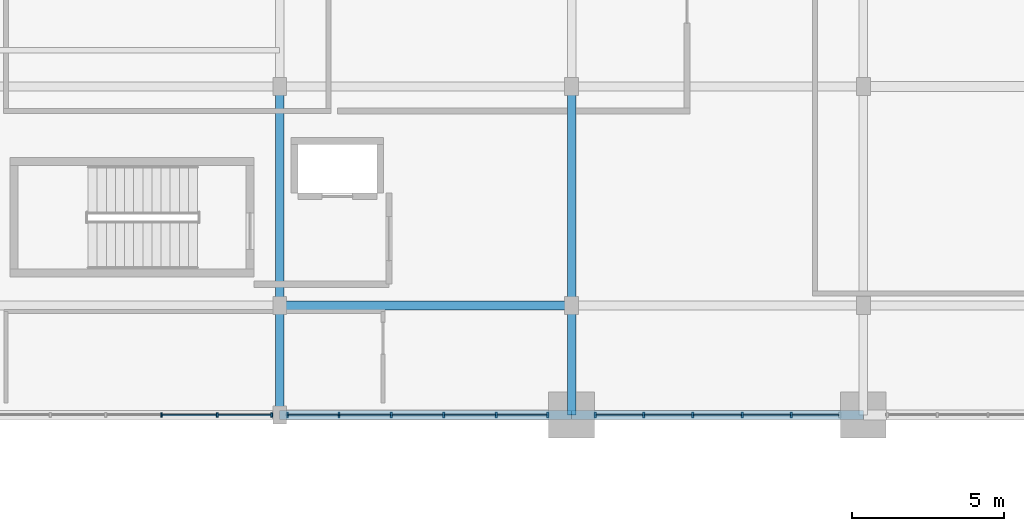
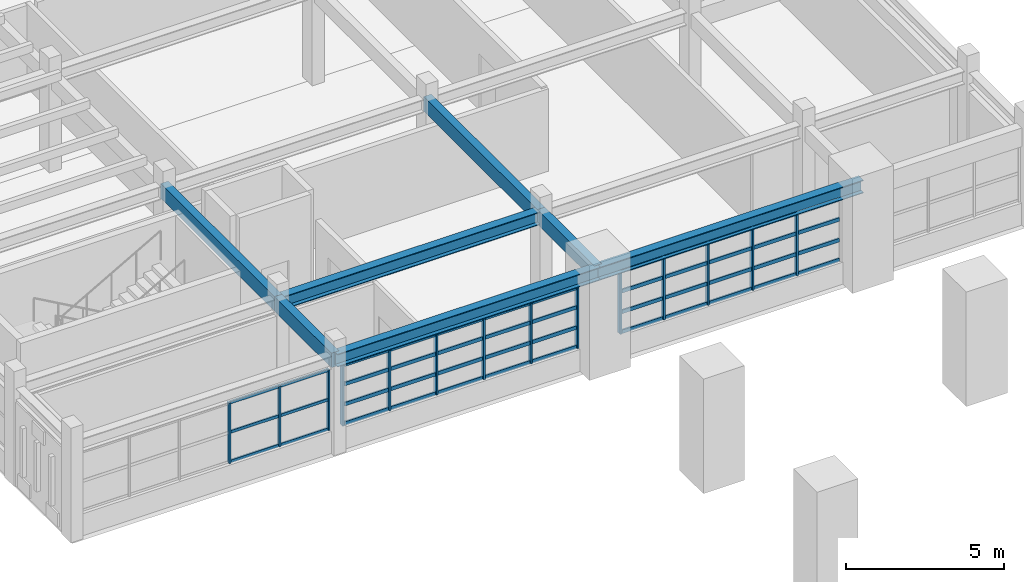
# One storey, part 29 of 69: 59 members, 7 beams, 3 elements without a shape of their own.
"""IFC4 building model written with IfcOpenShell, lengths in metres."""

import ifcopenshell
import ifcopenshell.guid

model = None  # the IFC model being written
_history = None  # IfcOwnerHistory: only IFC2X3 demands one
_inside = {}  # id of a spatial element -> (the spatial element, [elements in it])
_under = {}  # id of a project, library or spatial element -> (it, [spatial elements below it])
_declared = {}  # id of a project -> (the project, [libraries it declares])
_typed = {}  # id of a type object -> (the type object, [elements of that type])
_made_of = {}  # id of a material, layer set ... -> (it, [elements and type objects made of it])


def new_model(schema):
    """Start an empty IFC model of exactly this schema.

    Asked for "IFC4X3", IfcOpenShell would pick the latest addendum, in which some entities
    have other attributes; the version numbers below select the first issue.
    IFC2X3 requires an IfcOwnerHistory on every rooted entity: one is made here for all.
    """
    global model, _history
    if schema == "IFC4X3":
        model = ifcopenshell.file(schema_version=(4, 3, 0, 0))
    else:
        model = ifcopenshell.file(schema=schema)
    _inside.clear()
    _under.clear()
    _declared.clear()
    _typed.clear()
    _made_of.clear()
    _history = None
    if model.schema == "IFC2X3":
        org = make("IfcOrganization", Name="unknown")
        user = make(
            "IfcPersonAndOrganization",
            ThePerson=make("IfcPerson", FamilyName="unknown"),
            TheOrganization=org,
        )
        app = make(
            "IfcApplication",
            ApplicationDeveloper=org,
            Version="unknown",
            ApplicationFullName="unknown",
            ApplicationIdentifier="unknown",
        )
        _history = make(
            "IfcOwnerHistory",
            OwningUser=user,
            OwningApplication=app,
            ChangeAction="ADDED",
            CreationDate=0,
        )
    return model


def make(cls, **values):
    """One entity of the class cls with the attributes given. An attribute that is None is left unset."""
    return model.create_entity(
        cls, **{name: value for name, value in values.items() if value is not None}
    )


def rooted(cls, **values):
    """An entity with a GlobalId (a new one), such as an element, a storey or a relation."""
    return make(cls, GlobalId=ifcopenshell.guid.new(), OwnerHistory=_history, **values)


def si_unit(unit_type, name, prefix=None):
    """IfcSIUnit, for example si_unit("LENGTHUNIT", "METRE", prefix="MILLI")."""
    return make("IfcSIUnit", UnitType=unit_type, Prefix=prefix, Name=name)


def assignment(units):
    """IfcUnitAssignment: the units of a project."""
    return None if units is None else make("IfcUnitAssignment", Units=units)


def point(xyz):
    """IfcCartesianPoint."""
    return None if xyz is None else make("IfcCartesianPoint", Coordinates=xyz)


def direction(xyz):
    """IfcDirection."""
    return None if xyz is None else make("IfcDirection", DirectionRatios=xyz)


def frame(location, z_axis=None, x_axis=None):
    """IfcAxis2Placement3D, a coordinate frame: its origin and axes. An axis left out is left unset."""
    return make(
        "IfcAxis2Placement3D",
        Location=point(location),
        Axis=direction(z_axis),
        RefDirection=direction(x_axis),
    )


def frame_2d(location, x_axis=None):
    """IfcAxis2Placement2D, a coordinate frame in the plane: its origin and x axis."""
    return make(
        "IfcAxis2Placement2D", Location=point(location), RefDirection=direction(x_axis)
    )


def origin():
    """The frame at (0, 0, 0) with its axes left unset."""
    return frame((0.0, 0.0, 0.0))


def origin_2d():
    """The frame at (0, 0) in the plane with its x axis left unset."""
    return frame_2d((0.0, 0.0))


def place(relative_to, where):
    """IfcLocalPlacement: puts the frame where relative to a parent placement (None: the world)."""
    return make(
        "IfcLocalPlacement", PlacementRelTo=relative_to, RelativePlacement=where
    )


def context(
    kind, dimensions, precision=None, world=None, true_north=None, identifier=None
):
    """IfcGeometricRepresentationContext, for example the 3D "Model" context."""
    return make(
        "IfcGeometricRepresentationContext",
        ContextIdentifier=identifier,
        ContextType=kind,
        CoordinateSpaceDimension=dimensions,
        Precision=precision,
        WorldCoordinateSystem=world,
        TrueNorth=true_north,
    )


def subcontext(parent, identifier, kind, view, scale=None):
    """IfcGeometricRepresentationSubContext, for example "Body" below "Model"."""
    return make(
        "IfcGeometricRepresentationSubContext",
        ContextIdentifier=identifier,
        ContextType=kind,
        ParentContext=parent,
        TargetScale=scale,
        TargetView=view,
    )


def project(units=None, contexts=None):
    """IfcProject with its units and contexts."""
    return rooted(
        "IfcProject",
        Name="project",
        RepresentationContexts=contexts,
        UnitsInContext=assignment(units),
    )


def spatial(cls, under=None, at=None, **own):
    """A site, building, storey or space (cls), placed at a placement, below another one or the project."""
    s = rooted(cls, ObjectPlacement=at, **own)
    if under is not None:
        _under.setdefault(under.id(), (under, []))[1].append(s)
    return s


def profile(cls, at=None, kind="AREA", **sizes):
    """A parametric profile (cls). Its sizes go by their IFC names, for example OverallWidth=200.0."""
    return make(cls, ProfileType=kind, Position=at, **sizes)


def rectangle(**sizes):
    """IfcRectangleProfileDef."""
    return profile("IfcRectangleProfileDef", **sizes)


def i_section(**sizes):
    """IfcIShapeProfileDef."""
    return profile("IfcIShapeProfileDef", **sizes)


def extrude(swept, where, along, depth):
    """IfcExtrudedAreaSolid: the profile swept, set in the frame where, extruded along a direction by depth."""
    return make(
        "IfcExtrudedAreaSolid",
        SweptArea=swept,
        Position=where,
        ExtrudedDirection=direction(along),
        Depth=depth,
    )


def shape(context_of_items, identifier, shape_type, items):
    """IfcShapeRepresentation: the items that make up one representation, for example the "Body"."""
    return make(
        "IfcShapeRepresentation",
        ContextOfItems=context_of_items,
        RepresentationIdentifier=identifier,
        RepresentationType=shape_type,
        Items=items,
    )


def material(Name=None, Category=None):
    """IfcMaterial."""
    return make("IfcMaterial", Name=Name, Category=Category)


def material_profile(
    of_material, cross_section, Name=None, Category=None, Priority=None
):
    """IfcMaterialProfile: a cross section and its material."""
    return make(
        "IfcMaterialProfile",
        Name=Name,
        Material=of_material,
        Profile=cross_section,
        Priority=Priority,
        Category=Category,
    )


def profile_set(profiles, Name=None, composite=None):
    """IfcMaterialProfileSet."""
    return make(
        "IfcMaterialProfileSet",
        Name=Name,
        MaterialProfiles=profiles,
        CompositeProfile=composite,
    )


def made_of(thing, what):
    """Note that an element or type object is made of a material, layer set ...; save() writes the relation."""
    if what is not None:
        _made_of.setdefault(what.id(), (what, []))[1].append(thing)
    return thing


def type_object(cls, material=None, **own):
    """A type object (cls), such as IfcWallType, which elements share."""
    return made_of(rooted(cls, **own), material)


def element(
    cls,
    number,
    at=None,
    inside=None,
    cuts=None,
    type_object=None,
    material=None,
    context=None,
    identifier="Body",
    shape_type=None,
    held_by="IfcProductDefinitionShape",
    body=None,
    shapes=None,
    **own,
):
    """One element of the class cls, such as IfcWall. Its Tag is "e" and its number.

    at: its placement. inside: the storey or other place that contains it. cuts: it is an
    opening in that element (IfcRelVoidsElement). A single representation is given by context,
    identifier, shape_type and body (its items); several are given by shapes. held_by: the class
    of the entity that holds the representations. save() writes the other relations.
    """
    e = rooted(cls, Tag="e%d" % number, ObjectPlacement=at, **own)
    if body is not None:
        shapes = [shape(context, identifier, shape_type, body)]
    if shapes is not None:
        e.Representation = make(held_by, Representations=shapes)
    if inside is not None:
        _inside.setdefault(inside.id(), (inside, []))[1].append(e)
    if cuts is not None:
        rooted(
            "IfcRelVoidsElement", RelatingBuildingElement=cuts, RelatedOpeningElement=e
        )
    if type_object is not None:
        _typed.setdefault(type_object.id(), (type_object, []))[1].append(e)
    return made_of(e, material)


def aggregate(whole, parts):
    """IfcRelAggregates: a whole, such as a stair, and the parts it consists of."""
    return rooted("IfcRelAggregates", RelatingObject=whole, RelatedObjects=parts)


def save(model, path):
    """Write the relations noted so far, then the file.

    IfcRelAggregates (storeys below a building ...), IfcRelContainedInSpatialStructure (elements
    in a storey), IfcRelDefinesByType, IfcRelAssociatesMaterial and IfcRelDeclares: one each for
    every whole, place, type object, material and project.
    """
    for whole, parts in _under.values():
        aggregate(whole, parts)
    for where, things in _inside.values():
        rooted(
            "IfcRelContainedInSpatialStructure",
            RelatedElements=things,
            RelatingStructure=where,
        )
    for kind, things in _typed.values():
        rooted("IfcRelDefinesByType", RelatedObjects=things, RelatingType=kind)
    for what, things in _made_of.values():
        rooted("IfcRelAssociatesMaterial", RelatedObjects=things, RelatingMaterial=what)
    for by, libraries in _declared.values():
        rooted("IfcRelDeclares", RelatingContext=by, RelatedDefinitions=libraries)
    model.write(path)


model = new_model("IFC4")

# Units and contexts
model_context = context("Model", 3, precision=1e-05, world=origin(), true_north=direction((0.0, 1.0)))
body_context = subcontext(model_context, "Body", "Model", "MODEL_VIEW")
ifc_project = project(units=[si_unit("LENGTHUNIT", "METRE"), si_unit("AREAUNIT", "SQUARE_METRE"), si_unit("VOLUMEUNIT", "CUBIC_METRE"), si_unit("PLANEANGLEUNIT", "RADIAN"), si_unit("MASSUNIT", "GRAM", prefix="KILO")], contexts=[model_context])

# Site, building, storey
site_placement = place(None, origin())
site = spatial("IfcSite", under=ifc_project, at=site_placement, CompositionType="ELEMENT")
building_placement = place(site_placement, origin())
building = spatial("IfcBuilding", under=site, at=building_placement, Name="Nzembalo Square Collegiate School", CompositionType="ELEMENT")
storey_placement = place(building_placement, frame((0.0, 0.0, 5.10009765625)))
storey = spatial("IfcBuildingStorey", under=building, at=storey_placement, Name="L01", CompositionType="ELEMENT", Elevation=5.10009765625)

# Beams
ifc_material_1 = material(Name="Glulam GL28h", Category="wood")
ifc_material_profile_1 = material_profile(ifc_material_1, rectangle(XDim=0.280029296875, YDim=0.56005859375, at=origin_2d()), Name="GL28h 280x560")
ifc_profile_set_1 = profile_set([ifc_material_profile_1], Name="Glulam GL28h")
beam_type_1 = type_object("IfcBeamType", Name="B05", PredefinedType="BEAM", material=ifc_profile_set_1)
beam_1_placement = place(storey_placement, frame((140.39990234375, 79.199951171875, 3.469970703125), z_axis=(0.0, 1.0, 0.0), x_axis=(-1.0, 0.0, 0.0)))
element("IfcBeam", 1, at=beam_1_placement, inside=storey, type_object=beam_type_1, Name="Beam B05 L01", PredefinedType="BEAM", context=body_context, shape_type="SweptSolid", body=[
    extrude(rectangle(XDim=0.280029296875, YDim=0.56005859375, at=origin_2d()), origin(), (0.0, 0.0, 1.0), 3.60009765625),
])
beam_2_placement = place(storey_placement, frame((140.39990234375, 82.800048828125, 3.469970703125), z_axis=(0.0, 1.0, 0.0), x_axis=(-1.0, 0.0, 0.0)))
element("IfcBeam", 2, at=beam_2_placement, inside=storey, type_object=beam_type_1, Name="Beam B05 L01", PredefinedType="BEAM", context=body_context, shape_type="SweptSolid", body=[
    extrude(rectangle(XDim=0.280029296875, YDim=0.56005859375, at=origin_2d()), origin(), (0.0, 0.0, 1.0), 7.199951171875),
])
beam_3_placement = place(storey_placement, frame((150.0, 79.199951171875, 3.469970703125), z_axis=(0.0, 1.0, 0.0), x_axis=(-1.0, 0.0, 0.0)))
element("IfcBeam", 3, at=beam_3_placement, inside=storey, type_object=beam_type_1, Name="Beam B05 L01", PredefinedType="BEAM", context=body_context, shape_type="SweptSolid", body=[
    extrude(rectangle(XDim=0.280029296875, YDim=0.56005859375, at=origin_2d()), origin(), (0.0, 0.0, 1.0), 3.60009765625),
])
beam_4_placement = place(storey_placement, frame((150.0, 82.800048828125, 3.469970703125), z_axis=(0.0, 1.0, 0.0), x_axis=(-1.0, 0.0, 0.0)))
element("IfcBeam", 4, at=beam_4_placement, inside=storey, type_object=beam_type_1, Name="Beam B05 L01", PredefinedType="BEAM", context=body_context, shape_type="SweptSolid", body=[
    extrude(rectangle(XDim=0.280029296875, YDim=0.56005859375, at=origin_2d()), origin(), (0.0, 0.0, 1.0), 7.199951171875),
])
ifc_material_2 = material(Name="Steel S355", Category="steel")
ifc_material_profile_2 = material_profile(ifc_material_2, i_section(OverallWidth=0.300048828125, OverallDepth=0.5, WebThickness=0.014404296875, FlangeThickness=0.028076171875, at=origin_2d()), Name="HEB 500")
ifc_profile_set_2 = profile_set([ifc_material_profile_2], Name="Steel S355")
beam_type_2 = type_object("IfcBeamType", Name="B07", PredefinedType="BEAM", material=ifc_profile_set_2)
for number, where, z_axis, x_axis, name in (
    (5, (140.39990234375, 79.199951171875, 3.5), (1.0, 0.0, 0.0), (0.0, 1.0, 0.0), "Beam B07 L01"),
    (6, (150.0, 79.199951171875, 3.5), (1.0, 0.0, 0.0), (0.0, 1.0, 0.0), "Beam B07 L01"),
    (7, (140.39990234375, 82.800048828125, 3.5), (1.0, 0.0, 0.0), (0.0, 1.0, 0.0), "Beam B07 L01"),
):
    element("IfcBeam", number, at=place(storey_placement, frame(where, z_axis=z_axis, x_axis=x_axis)), inside=storey, type_object=beam_type_2, Name=name, PredefinedType="BEAM", context=body_context, shape_type="SweptSolid", body=[
        extrude(i_section(OverallWidth=0.300048828125, OverallDepth=0.5, WebThickness=0.014404296875, FlangeThickness=0.028076171875, at=origin_2d()), origin(), (0.0, 0.0, 1.0), 9.60009765625),
    ])

# Curtain wall, members
ifc_material_3 = material(Name="Aluminium 6060-T66", Category="aluminium")
curtain_wall_type_1 = type_object("IfcCurtainWallType", Name="CW-09", PredefinedType="USERDEFINED", material=ifc_material_3)
curtain_wall_1_placement = place(storey_placement, origin())
curtain_wall_1 = element("IfcCurtainWall", 8, at=curtain_wall_1_placement, inside=storey, type_object=curtain_wall_type_1, Name="Curtain wall CW-09 cw:L01:068", ObjectType="UNITISED", PredefinedType="USERDEFINED")
ifc_material_4 = material(Name="Aluminium 6060-T66", Category="aluminium")
ifc_material_profile_3 = material_profile(ifc_material_4, rectangle(XDim=0.06005859375, YDim=0.179931640625, at=origin_2d()), Name="ALU M60x180")
ifc_profile_set_3 = profile_set([ifc_material_profile_3], Name="Aluminium 6060-T66")
member_type_1 = type_object("IfcMemberType", Name="ML01", PredefinedType="MULLION", material=ifc_profile_set_3)
member_1_placement = place(storey_placement, frame((140.656982421875, 79.199951171875, 0.849853515625), z_axis=(0.0, 0.0, 1.0), x_axis=(1.0, 0.0, 0.0)))
member_1 = element("IfcMember", 9, at=member_1_placement, type_object=member_type_1, Name="ML01 mullion 1", PredefinedType="MULLION", context=body_context, shape_type="SweptSolid", body=[
    extrude(rectangle(XDim=0.06005859375, YDim=0.179931640625, at=origin_2d()), origin(), (0.0, 0.0, 1.0), 2.333984375),
])
member_2_placement = place(storey_placement, frame((142.351318359375, 79.199951171875, 0.849853515625), z_axis=(0.0, 0.0, 1.0), x_axis=(1.0, 0.0, 0.0)))
member_2 = element("IfcMember", 10, at=member_2_placement, type_object=member_type_1, Name="ML01 mullion 2", PredefinedType="MULLION", context=body_context, shape_type="SweptSolid", body=[
    extrude(rectangle(XDim=0.06005859375, YDim=0.179931640625, at=origin_2d()), origin(), (0.0, 0.0, 1.0), 2.333984375),
])
member_3_placement = place(storey_placement, frame((144.075439453125, 79.199951171875, 0.849853515625), z_axis=(0.0, 0.0, 1.0), x_axis=(1.0, 0.0, 0.0)))
member_3 = element("IfcMember", 11, at=member_3_placement, type_object=member_type_1, Name="ML01 mullion 3", PredefinedType="MULLION", context=body_context, shape_type="SweptSolid", body=[
    extrude(rectangle(XDim=0.06005859375, YDim=0.179931640625, at=origin_2d()), origin(), (0.0, 0.0, 1.0), 2.333984375),
])
member_4_placement = place(storey_placement, frame((145.799560546875, 79.199951171875, 0.849853515625), z_axis=(0.0, 0.0, 1.0), x_axis=(1.0, 0.0, 0.0)))
member_4 = element("IfcMember", 12, at=member_4_placement, type_object=member_type_1, Name="ML01 mullion 4", PredefinedType="MULLION", context=body_context, shape_type="SweptSolid", body=[
    extrude(rectangle(XDim=0.06005859375, YDim=0.179931640625, at=origin_2d()), origin(), (0.0, 0.0, 1.0), 2.333984375),
])
member_5_placement = place(storey_placement, frame((147.523681640625, 79.199951171875, 0.849853515625), z_axis=(0.0, 0.0, 1.0), x_axis=(1.0, 0.0, 0.0)))
member_5 = element("IfcMember", 13, at=member_5_placement, type_object=member_type_1, Name="ML01 mullion 5", PredefinedType="MULLION", context=body_context, shape_type="SweptSolid", body=[
    extrude(rectangle(XDim=0.06005859375, YDim=0.179931640625, at=origin_2d()), origin(), (0.0, 0.0, 1.0), 2.333984375),
])
member_6_placement = place(storey_placement, frame((149.218017578125, 79.199951171875, 0.849853515625), z_axis=(0.0, 0.0, 1.0), x_axis=(1.0, 0.0, 0.0)))
member_6 = element("IfcMember", 14, at=member_6_placement, type_object=member_type_1, Name="ML01 mullion 6", PredefinedType="MULLION", context=body_context, shape_type="SweptSolid", body=[
    extrude(rectangle(XDim=0.06005859375, YDim=0.179931640625, at=origin_2d()), origin(), (0.0, 0.0, 1.0), 2.333984375),
])

ifc_material_5 = material(Name="Aluminium 6060-T66", Category="aluminium")
curtain_wall_type_2 = type_object("IfcCurtainWallType", Name="CW-10", PredefinedType="USERDEFINED", material=ifc_material_5)
curtain_wall_2_placement = place(storey_placement, origin())
curtain_wall_2 = element("IfcCurtainWall", 15, at=curtain_wall_2_placement, inside=storey, type_object=curtain_wall_type_2, Name="Curtain wall CW-10 cw:L01:069", ObjectType="UNITISED", PredefinedType="USERDEFINED")
member_7_placement = place(storey_placement, frame((150.781982421875, 79.199951171875, 0.849853515625), z_axis=(0.0, 0.0, 1.0), x_axis=(1.0, 0.0, 0.0)))
member_7 = element("IfcMember", 16, at=member_7_placement, type_object=member_type_1, Name="ML01 mullion 1", PredefinedType="MULLION", context=body_context, shape_type="SweptSolid", body=[
    extrude(rectangle(XDim=0.06005859375, YDim=0.179931640625, at=origin_2d()), origin(), (0.0, 0.0, 1.0), 2.39404296875),
])
member_8_placement = place(storey_placement, frame((152.37109375, 79.199951171875, 0.849853515625), z_axis=(0.0, 0.0, 1.0), x_axis=(1.0, 0.0, 0.0)))
member_8 = element("IfcMember", 17, at=member_8_placement, type_object=member_type_1, Name="ML01 mullion 2", PredefinedType="MULLION", context=body_context, shape_type="SweptSolid", body=[
    extrude(rectangle(XDim=0.06005859375, YDim=0.179931640625, at=origin_2d()), origin(), (0.0, 0.0, 1.0), 2.39404296875),
])
member_9_placement = place(storey_placement, frame((153.990478515625, 79.199951171875, 0.849853515625), z_axis=(0.0, 0.0, 1.0), x_axis=(1.0, 0.0, 0.0)))
member_9 = element("IfcMember", 18, at=member_9_placement, type_object=member_type_1, Name="ML01 mullion 3", PredefinedType="MULLION", context=body_context, shape_type="SweptSolid", body=[
    extrude(rectangle(XDim=0.06005859375, YDim=0.179931640625, at=origin_2d()), origin(), (0.0, 0.0, 1.0), 2.39404296875),
])
member_10_placement = place(storey_placement, frame((155.609619140625, 79.199951171875, 0.849853515625), z_axis=(0.0, 0.0, 1.0), x_axis=(1.0, 0.0, 0.0)))
member_10 = element("IfcMember", 19, at=member_10_placement, type_object=member_type_1, Name="ML01 mullion 4", PredefinedType="MULLION", context=body_context, shape_type="SweptSolid", body=[
    extrude(rectangle(XDim=0.06005859375, YDim=0.179931640625, at=origin_2d()), origin(), (0.0, 0.0, 1.0), 2.39404296875),
])
member_11_placement = place(storey_placement, frame((157.228759765625, 79.199951171875, 0.849853515625), z_axis=(0.0, 0.0, 1.0), x_axis=(1.0, 0.0, 0.0)))
member_11 = element("IfcMember", 20, at=member_11_placement, type_object=member_type_1, Name="ML01 mullion 5", PredefinedType="MULLION", context=body_context, shape_type="SweptSolid", body=[
    extrude(rectangle(XDim=0.06005859375, YDim=0.179931640625, at=origin_2d()), origin(), (0.0, 0.0, 1.0), 2.39404296875),
])

ifc_material_6 = material(Name="Aluminium 6060-T66", Category="aluminium")
curtain_wall_type_3 = type_object("IfcCurtainWallType", Name="CW-12", PredefinedType="USERDEFINED", material=ifc_material_6)
curtain_wall_3_placement = place(storey_placement, origin())
curtain_wall_3 = element("IfcCurtainWall", 21, at=curtain_wall_3_placement, inside=storey, type_object=curtain_wall_type_3, Name="Curtain wall CW-12 cw:L01:067", ObjectType="LANCET", PredefinedType="USERDEFINED")
ifc_material_7 = material(Name="Aluminium 6060-T66", Category="aluminium")
ifc_material_profile_4 = material_profile(ifc_material_7, rectangle(XDim=0.06005859375, YDim=0.14990234375, at=origin_2d()), Name="ALU M60x150")
ifc_profile_set_4 = profile_set([ifc_material_profile_4], Name="Aluminium 6060-T66")
member_type_2 = type_object("IfcMemberType", Name="ML02", PredefinedType="MULLION", material=ifc_profile_set_4)
member_12_placement = place(storey_placement, frame((136.5146484375, 79.199951171875, 0.849853515625), z_axis=(0.0, 0.0, 1.0), x_axis=(1.0, 0.0, 0.0)))
member_12 = element("IfcMember", 22, at=member_12_placement, type_object=member_type_2, Name="ML02 mullion 4", PredefinedType="MULLION", context=body_context, shape_type="SweptSolid", body=[
    extrude(rectangle(XDim=0.06005859375, YDim=0.14990234375, at=origin_2d()), origin(), (0.0, 0.0, 1.0), 2.333984375),
])
member_13_placement = place(storey_placement, frame((138.34375, 79.199951171875, 0.849853515625), z_axis=(0.0, 0.0, 1.0), x_axis=(1.0, 0.0, 0.0)))
member_13 = element("IfcMember", 23, at=member_13_placement, type_object=member_type_2, Name="ML02 mullion 5", PredefinedType="MULLION", context=body_context, shape_type="SweptSolid", body=[
    extrude(rectangle(XDim=0.06005859375, YDim=0.14990234375, at=origin_2d()), origin(), (0.0, 0.0, 1.0), 2.333984375),
])
member_14_placement = place(storey_placement, frame((140.14306640625, 79.199951171875, 0.849853515625), z_axis=(0.0, 0.0, 1.0), x_axis=(1.0, 0.0, 0.0)))
member_14 = element("IfcMember", 24, at=member_14_placement, type_object=member_type_2, Name="ML02 mullion 6", PredefinedType="MULLION", context=body_context, shape_type="SweptSolid", body=[
    extrude(rectangle(XDim=0.06005859375, YDim=0.14990234375, at=origin_2d()), origin(), (0.0, 0.0, 1.0), 2.333984375),
])

# Member
ifc_material_8 = material(Name="Aluminium 6060-T66", Category="aluminium")
ifc_material_profile_5 = material_profile(ifc_material_8, rectangle(XDim=0.06005859375, YDim=0.139892578125, at=origin_2d()), Name="ALU T60x140")
ifc_profile_set_5 = profile_set([ifc_material_profile_5], Name="Aluminium 6060-T66")
member_type_3 = type_object("IfcMemberType", Name="TR01", PredefinedType="USERDEFINED", material=ifc_profile_set_5)
member_15_placement = place(storey_placement, frame((140.68701171875, 79.199951171875, 0.8798828125), z_axis=(1.0, 0.0, 0.0), x_axis=(0.0, 1.0, 0.0)))
member_15 = element("IfcMember", 25, at=member_15_placement, type_object=member_type_3, Name="TR01 transom 1-1", ObjectType="TRANSOM", PredefinedType="USERDEFINED", context=body_context, shape_type="SweptSolid", body=[
    extrude(rectangle(XDim=0.06005859375, YDim=0.139892578125, at=origin_2d()), origin(), (0.0, 0.0, 1.0), 1.63427734375),
])

member_16_placement = place(storey_placement, frame((142.381103515625, 79.199951171875, 0.8798828125), z_axis=(1.0, 0.0, 0.0), x_axis=(0.0, 1.0, 0.0)))
member_16 = element("IfcMember", 26, at=member_16_placement, type_object=member_type_3, Name="TR01 transom 1-2", ObjectType="TRANSOM", PredefinedType="USERDEFINED", context=body_context, shape_type="SweptSolid", body=[
    extrude(rectangle(XDim=0.06005859375, YDim=0.139892578125, at=origin_2d()), origin(), (0.0, 0.0, 1.0), 1.664306640625),
])

member_17_placement = place(storey_placement, frame((144.10546875, 79.199951171875, 0.8798828125), z_axis=(1.0, 0.0, 0.0), x_axis=(0.0, 1.0, 0.0)))
member_17 = element("IfcMember", 27, at=member_17_placement, type_object=member_type_3, Name="TR01 transom 1-3", ObjectType="TRANSOM", PredefinedType="USERDEFINED", context=body_context, shape_type="SweptSolid", body=[
    extrude(rectangle(XDim=0.06005859375, YDim=0.139892578125, at=origin_2d()), origin(), (0.0, 0.0, 1.0), 1.6640625),
])

member_18_placement = place(storey_placement, frame((145.82958984375, 79.199951171875, 0.8798828125), z_axis=(1.0, 0.0, 0.0), x_axis=(0.0, 1.0, 0.0)))
member_18 = element("IfcMember", 28, at=member_18_placement, type_object=member_type_3, Name="TR01 transom 1-4", ObjectType="TRANSOM", PredefinedType="USERDEFINED", context=body_context, shape_type="SweptSolid", body=[
    extrude(rectangle(XDim=0.06005859375, YDim=0.139892578125, at=origin_2d()), origin(), (0.0, 0.0, 1.0), 1.664306640625),
])

member_19_placement = place(storey_placement, frame((147.5537109375, 79.199951171875, 0.8798828125), z_axis=(1.0, 0.0, 0.0), x_axis=(0.0, 1.0, 0.0)))
member_19 = element("IfcMember", 29, at=member_19_placement, type_object=member_type_3, Name="TR01 transom 1-5", ObjectType="TRANSOM", PredefinedType="USERDEFINED", context=body_context, shape_type="SweptSolid", body=[
    extrude(rectangle(XDim=0.06005859375, YDim=0.139892578125, at=origin_2d()), origin(), (0.0, 0.0, 1.0), 1.63427734375),
])

member_20_placement = place(storey_placement, frame((140.68701171875, 79.199951171875, 1.6279296875), z_axis=(1.0, 0.0, 0.0), x_axis=(0.0, 1.0, 0.0)))
member_20 = element("IfcMember", 30, at=member_20_placement, type_object=member_type_3, Name="TR01 transom 2-1", ObjectType="TRANSOM", PredefinedType="USERDEFINED", context=body_context, shape_type="SweptSolid", body=[
    extrude(rectangle(XDim=0.06005859375, YDim=0.139892578125, at=origin_2d()), origin(), (0.0, 0.0, 1.0), 1.63427734375),
])

member_21_placement = place(storey_placement, frame((142.381103515625, 79.199951171875, 1.6279296875), z_axis=(1.0, 0.0, 0.0), x_axis=(0.0, 1.0, 0.0)))
member_21 = element("IfcMember", 31, at=member_21_placement, type_object=member_type_3, Name="TR01 transom 2-2", ObjectType="TRANSOM", PredefinedType="USERDEFINED", context=body_context, shape_type="SweptSolid", body=[
    extrude(rectangle(XDim=0.06005859375, YDim=0.139892578125, at=origin_2d()), origin(), (0.0, 0.0, 1.0), 1.664306640625),
])

member_22_placement = place(storey_placement, frame((144.10546875, 79.199951171875, 1.6279296875), z_axis=(1.0, 0.0, 0.0), x_axis=(0.0, 1.0, 0.0)))
member_22 = element("IfcMember", 32, at=member_22_placement, type_object=member_type_3, Name="TR01 transom 2-3", ObjectType="TRANSOM", PredefinedType="USERDEFINED", context=body_context, shape_type="SweptSolid", body=[
    extrude(rectangle(XDim=0.06005859375, YDim=0.139892578125, at=origin_2d()), origin(), (0.0, 0.0, 1.0), 1.6640625),
])

member_23_placement = place(storey_placement, frame((145.82958984375, 79.199951171875, 1.6279296875), z_axis=(1.0, 0.0, 0.0), x_axis=(0.0, 1.0, 0.0)))
member_23 = element("IfcMember", 33, at=member_23_placement, type_object=member_type_3, Name="TR01 transom 2-4", ObjectType="TRANSOM", PredefinedType="USERDEFINED", context=body_context, shape_type="SweptSolid", body=[
    extrude(rectangle(XDim=0.06005859375, YDim=0.139892578125, at=origin_2d()), origin(), (0.0, 0.0, 1.0), 1.664306640625),
])

member_24_placement = place(storey_placement, frame((147.5537109375, 79.199951171875, 1.6279296875), z_axis=(1.0, 0.0, 0.0), x_axis=(0.0, 1.0, 0.0)))
member_24 = element("IfcMember", 34, at=member_24_placement, type_object=member_type_3, Name="TR01 transom 2-5", ObjectType="TRANSOM", PredefinedType="USERDEFINED", context=body_context, shape_type="SweptSolid", body=[
    extrude(rectangle(XDim=0.06005859375, YDim=0.139892578125, at=origin_2d()), origin(), (0.0, 0.0, 1.0), 1.63427734375),
])

member_25_placement = place(storey_placement, frame((140.68701171875, 79.199951171875, 2.406005859375), z_axis=(1.0, 0.0, 0.0), x_axis=(0.0, 1.0, 0.0)))
member_25 = element("IfcMember", 35, at=member_25_placement, type_object=member_type_3, Name="TR01 transom 3-1", ObjectType="TRANSOM", PredefinedType="USERDEFINED", context=body_context, shape_type="SweptSolid", body=[
    extrude(rectangle(XDim=0.06005859375, YDim=0.139892578125, at=origin_2d()), origin(), (0.0, 0.0, 1.0), 1.63427734375),
])

member_26_placement = place(storey_placement, frame((142.381103515625, 79.199951171875, 2.406005859375), z_axis=(1.0, 0.0, 0.0), x_axis=(0.0, 1.0, 0.0)))
member_26 = element("IfcMember", 36, at=member_26_placement, type_object=member_type_3, Name="TR01 transom 3-2", ObjectType="TRANSOM", PredefinedType="USERDEFINED", context=body_context, shape_type="SweptSolid", body=[
    extrude(rectangle(XDim=0.06005859375, YDim=0.139892578125, at=origin_2d()), origin(), (0.0, 0.0, 1.0), 1.664306640625),
])

member_27_placement = place(storey_placement, frame((144.10546875, 79.199951171875, 2.406005859375), z_axis=(1.0, 0.0, 0.0), x_axis=(0.0, 1.0, 0.0)))
member_27 = element("IfcMember", 37, at=member_27_placement, type_object=member_type_3, Name="TR01 transom 3-3", ObjectType="TRANSOM", PredefinedType="USERDEFINED", context=body_context, shape_type="SweptSolid", body=[
    extrude(rectangle(XDim=0.06005859375, YDim=0.139892578125, at=origin_2d()), origin(), (0.0, 0.0, 1.0), 1.6640625),
])

member_28_placement = place(storey_placement, frame((145.82958984375, 79.199951171875, 2.406005859375), z_axis=(1.0, 0.0, 0.0), x_axis=(0.0, 1.0, 0.0)))
member_28 = element("IfcMember", 38, at=member_28_placement, type_object=member_type_3, Name="TR01 transom 3-4", ObjectType="TRANSOM", PredefinedType="USERDEFINED", context=body_context, shape_type="SweptSolid", body=[
    extrude(rectangle(XDim=0.06005859375, YDim=0.139892578125, at=origin_2d()), origin(), (0.0, 0.0, 1.0), 1.664306640625),
])

member_29_placement = place(storey_placement, frame((147.5537109375, 79.199951171875, 2.406005859375), z_axis=(1.0, 0.0, 0.0), x_axis=(0.0, 1.0, 0.0)))
member_29 = element("IfcMember", 39, at=member_29_placement, type_object=member_type_3, Name="TR01 transom 3-5", ObjectType="TRANSOM", PredefinedType="USERDEFINED", context=body_context, shape_type="SweptSolid", body=[
    extrude(rectangle(XDim=0.06005859375, YDim=0.139892578125, at=origin_2d()), origin(), (0.0, 0.0, 1.0), 1.63427734375),
])

member_30_placement = place(storey_placement, frame((140.68701171875, 79.199951171875, 3.15380859375), z_axis=(1.0, 0.0, 0.0), x_axis=(0.0, 1.0, 0.0)))
member_30 = element("IfcMember", 40, at=member_30_placement, type_object=member_type_3, Name="TR01 transom 4-1", ObjectType="TRANSOM", PredefinedType="USERDEFINED", context=body_context, shape_type="SweptSolid", body=[
    extrude(rectangle(XDim=0.06005859375, YDim=0.139892578125, at=origin_2d()), origin(), (0.0, 0.0, 1.0), 1.63427734375),
])

member_31_placement = place(storey_placement, frame((142.381103515625, 79.199951171875, 3.15380859375), z_axis=(1.0, 0.0, 0.0), x_axis=(0.0, 1.0, 0.0)))
member_31 = element("IfcMember", 41, at=member_31_placement, type_object=member_type_3, Name="TR01 transom 4-2", ObjectType="TRANSOM", PredefinedType="USERDEFINED", context=body_context, shape_type="SweptSolid", body=[
    extrude(rectangle(XDim=0.06005859375, YDim=0.139892578125, at=origin_2d()), origin(), (0.0, 0.0, 1.0), 1.664306640625),
])

member_32_placement = place(storey_placement, frame((144.10546875, 79.199951171875, 3.15380859375), z_axis=(1.0, 0.0, 0.0), x_axis=(0.0, 1.0, 0.0)))
member_32 = element("IfcMember", 42, at=member_32_placement, type_object=member_type_3, Name="TR01 transom 4-3", ObjectType="TRANSOM", PredefinedType="USERDEFINED", context=body_context, shape_type="SweptSolid", body=[
    extrude(rectangle(XDim=0.06005859375, YDim=0.139892578125, at=origin_2d()), origin(), (0.0, 0.0, 1.0), 1.6640625),
])

member_33_placement = place(storey_placement, frame((145.82958984375, 79.199951171875, 3.15380859375), z_axis=(1.0, 0.0, 0.0), x_axis=(0.0, 1.0, 0.0)))
member_33 = element("IfcMember", 43, at=member_33_placement, type_object=member_type_3, Name="TR01 transom 4-4", ObjectType="TRANSOM", PredefinedType="USERDEFINED", context=body_context, shape_type="SweptSolid", body=[
    extrude(rectangle(XDim=0.06005859375, YDim=0.139892578125, at=origin_2d()), origin(), (0.0, 0.0, 1.0), 1.664306640625),
])

member_34_placement = place(storey_placement, frame((147.5537109375, 79.199951171875, 3.15380859375), z_axis=(1.0, 0.0, 0.0), x_axis=(0.0, 1.0, 0.0)))
member_34 = element("IfcMember", 44, at=member_34_placement, type_object=member_type_3, Name="TR01 transom 4-5", ObjectType="TRANSOM", PredefinedType="USERDEFINED", context=body_context, shape_type="SweptSolid", body=[
    extrude(rectangle(XDim=0.06005859375, YDim=0.139892578125, at=origin_2d()), origin(), (0.0, 0.0, 1.0), 1.63427734375),
])

aggregate(curtain_wall_1, [member_1, member_2, member_3, member_4, member_5, member_6, member_15, member_16, member_17, member_18, member_19, member_20, member_21, member_22, member_23, member_24, member_25, member_26, member_27, member_28, member_29, member_30, member_31, member_32, member_33, member_34])

member_35_placement = place(storey_placement, frame((150.81201171875, 79.199951171875, 0.8798828125), z_axis=(1.0, 0.0, 0.0), x_axis=(0.0, 1.0, 0.0)))
member_35 = element("IfcMember", 45, at=member_35_placement, type_object=member_type_3, Name="TR01 transom 1-1", ObjectType="TRANSOM", PredefinedType="USERDEFINED", context=body_context, shape_type="SweptSolid", body=[
    extrude(rectangle(XDim=0.06005859375, YDim=0.139892578125, at=origin_2d()), origin(), (0.0, 0.0, 1.0), 1.529296875),
])

member_36_placement = place(storey_placement, frame((152.401123046875, 79.199951171875, 0.8798828125), z_axis=(1.0, 0.0, 0.0), x_axis=(0.0, 1.0, 0.0)))
member_36 = element("IfcMember", 46, at=member_36_placement, type_object=member_type_3, Name="TR01 transom 1-2", ObjectType="TRANSOM", PredefinedType="USERDEFINED", context=body_context, shape_type="SweptSolid", body=[
    extrude(rectangle(XDim=0.06005859375, YDim=0.139892578125, at=origin_2d()), origin(), (0.0, 0.0, 1.0), 1.559326171875),
])

member_37_placement = place(storey_placement, frame((154.0205078125, 79.199951171875, 0.8798828125), z_axis=(1.0, 0.0, 0.0), x_axis=(0.0, 1.0, 0.0)))
member_37 = element("IfcMember", 47, at=member_37_placement, type_object=member_type_3, Name="TR01 transom 1-3", ObjectType="TRANSOM", PredefinedType="USERDEFINED", context=body_context, shape_type="SweptSolid", body=[
    extrude(rectangle(XDim=0.06005859375, YDim=0.139892578125, at=origin_2d()), origin(), (0.0, 0.0, 1.0), 1.55908203125),
])

member_38_placement = place(storey_placement, frame((155.6396484375, 79.199951171875, 0.8798828125), z_axis=(1.0, 0.0, 0.0), x_axis=(0.0, 1.0, 0.0)))
member_38 = element("IfcMember", 48, at=member_38_placement, type_object=member_type_3, Name="TR01 transom 1-4", ObjectType="TRANSOM", PredefinedType="USERDEFINED", context=body_context, shape_type="SweptSolid", body=[
    extrude(rectangle(XDim=0.06005859375, YDim=0.139892578125, at=origin_2d()), origin(), (0.0, 0.0, 1.0), 1.55908203125),
])

member_39_placement = place(storey_placement, frame((157.2587890625, 79.199951171875, 0.8798828125), z_axis=(1.0, 0.0, 0.0), x_axis=(0.0, 1.0, 0.0)))
member_39 = element("IfcMember", 49, at=member_39_placement, type_object=member_type_3, Name="TR01 transom 1-5", ObjectType="TRANSOM", PredefinedType="USERDEFINED", context=body_context, shape_type="SweptSolid", body=[
    extrude(rectangle(XDim=0.06005859375, YDim=0.139892578125, at=origin_2d()), origin(), (0.0, 0.0, 1.0), 1.529296875),
])

member_40_placement = place(storey_placement, frame((150.81201171875, 79.199951171875, 1.64794921875), z_axis=(1.0, 0.0, 0.0), x_axis=(0.0, 1.0, 0.0)))
member_40 = element("IfcMember", 50, at=member_40_placement, type_object=member_type_3, Name="TR01 transom 2-1", ObjectType="TRANSOM", PredefinedType="USERDEFINED", context=body_context, shape_type="SweptSolid", body=[
    extrude(rectangle(XDim=0.06005859375, YDim=0.139892578125, at=origin_2d()), origin(), (0.0, 0.0, 1.0), 1.529296875),
])

member_41_placement = place(storey_placement, frame((152.401123046875, 79.199951171875, 1.64794921875), z_axis=(1.0, 0.0, 0.0), x_axis=(0.0, 1.0, 0.0)))
member_41 = element("IfcMember", 51, at=member_41_placement, type_object=member_type_3, Name="TR01 transom 2-2", ObjectType="TRANSOM", PredefinedType="USERDEFINED", context=body_context, shape_type="SweptSolid", body=[
    extrude(rectangle(XDim=0.06005859375, YDim=0.139892578125, at=origin_2d()), origin(), (0.0, 0.0, 1.0), 1.559326171875),
])

member_42_placement = place(storey_placement, frame((154.0205078125, 79.199951171875, 1.64794921875), z_axis=(1.0, 0.0, 0.0), x_axis=(0.0, 1.0, 0.0)))
member_42 = element("IfcMember", 52, at=member_42_placement, type_object=member_type_3, Name="TR01 transom 2-3", ObjectType="TRANSOM", PredefinedType="USERDEFINED", context=body_context, shape_type="SweptSolid", body=[
    extrude(rectangle(XDim=0.06005859375, YDim=0.139892578125, at=origin_2d()), origin(), (0.0, 0.0, 1.0), 1.55908203125),
])

member_43_placement = place(storey_placement, frame((155.6396484375, 79.199951171875, 1.64794921875), z_axis=(1.0, 0.0, 0.0), x_axis=(0.0, 1.0, 0.0)))
member_43 = element("IfcMember", 53, at=member_43_placement, type_object=member_type_3, Name="TR01 transom 2-4", ObjectType="TRANSOM", PredefinedType="USERDEFINED", context=body_context, shape_type="SweptSolid", body=[
    extrude(rectangle(XDim=0.06005859375, YDim=0.139892578125, at=origin_2d()), origin(), (0.0, 0.0, 1.0), 1.55908203125),
])

member_44_placement = place(storey_placement, frame((157.2587890625, 79.199951171875, 1.64794921875), z_axis=(1.0, 0.0, 0.0), x_axis=(0.0, 1.0, 0.0)))
member_44 = element("IfcMember", 54, at=member_44_placement, type_object=member_type_3, Name="TR01 transom 2-5", ObjectType="TRANSOM", PredefinedType="USERDEFINED", context=body_context, shape_type="SweptSolid", body=[
    extrude(rectangle(XDim=0.06005859375, YDim=0.139892578125, at=origin_2d()), origin(), (0.0, 0.0, 1.0), 1.529296875),
])

member_45_placement = place(storey_placement, frame((150.81201171875, 79.199951171875, 2.44580078125), z_axis=(1.0, 0.0, 0.0), x_axis=(0.0, 1.0, 0.0)))
member_45 = element("IfcMember", 55, at=member_45_placement, type_object=member_type_3, Name="TR01 transom 3-1", ObjectType="TRANSOM", PredefinedType="USERDEFINED", context=body_context, shape_type="SweptSolid", body=[
    extrude(rectangle(XDim=0.06005859375, YDim=0.139892578125, at=origin_2d()), origin(), (0.0, 0.0, 1.0), 1.529296875),
])

member_46_placement = place(storey_placement, frame((152.401123046875, 79.199951171875, 2.44580078125), z_axis=(1.0, 0.0, 0.0), x_axis=(0.0, 1.0, 0.0)))
member_46 = element("IfcMember", 56, at=member_46_placement, type_object=member_type_3, Name="TR01 transom 3-2", ObjectType="TRANSOM", PredefinedType="USERDEFINED", context=body_context, shape_type="SweptSolid", body=[
    extrude(rectangle(XDim=0.06005859375, YDim=0.139892578125, at=origin_2d()), origin(), (0.0, 0.0, 1.0), 1.559326171875),
])

member_47_placement = place(storey_placement, frame((154.0205078125, 79.199951171875, 2.44580078125), z_axis=(1.0, 0.0, 0.0), x_axis=(0.0, 1.0, 0.0)))
member_47 = element("IfcMember", 57, at=member_47_placement, type_object=member_type_3, Name="TR01 transom 3-3", ObjectType="TRANSOM", PredefinedType="USERDEFINED", context=body_context, shape_type="SweptSolid", body=[
    extrude(rectangle(XDim=0.06005859375, YDim=0.139892578125, at=origin_2d()), origin(), (0.0, 0.0, 1.0), 1.55908203125),
])

member_48_placement = place(storey_placement, frame((155.6396484375, 79.199951171875, 2.44580078125), z_axis=(1.0, 0.0, 0.0), x_axis=(0.0, 1.0, 0.0)))
member_48 = element("IfcMember", 58, at=member_48_placement, type_object=member_type_3, Name="TR01 transom 3-4", ObjectType="TRANSOM", PredefinedType="USERDEFINED", context=body_context, shape_type="SweptSolid", body=[
    extrude(rectangle(XDim=0.06005859375, YDim=0.139892578125, at=origin_2d()), origin(), (0.0, 0.0, 1.0), 1.55908203125),
])

member_49_placement = place(storey_placement, frame((157.2587890625, 79.199951171875, 2.44580078125), z_axis=(1.0, 0.0, 0.0), x_axis=(0.0, 1.0, 0.0)))
member_49 = element("IfcMember", 59, at=member_49_placement, type_object=member_type_3, Name="TR01 transom 3-5", ObjectType="TRANSOM", PredefinedType="USERDEFINED", context=body_context, shape_type="SweptSolid", body=[
    extrude(rectangle(XDim=0.06005859375, YDim=0.139892578125, at=origin_2d()), origin(), (0.0, 0.0, 1.0), 1.529296875),
])

member_50_placement = place(storey_placement, frame((150.81201171875, 79.199951171875, 3.2138671875), z_axis=(1.0, 0.0, 0.0), x_axis=(0.0, 1.0, 0.0)))
member_50 = element("IfcMember", 60, at=member_50_placement, type_object=member_type_3, Name="TR01 transom 4-1", ObjectType="TRANSOM", PredefinedType="USERDEFINED", context=body_context, shape_type="SweptSolid", body=[
    extrude(rectangle(XDim=0.06005859375, YDim=0.139892578125, at=origin_2d()), origin(), (0.0, 0.0, 1.0), 1.529296875),
])

member_51_placement = place(storey_placement, frame((152.401123046875, 79.199951171875, 3.2138671875), z_axis=(1.0, 0.0, 0.0), x_axis=(0.0, 1.0, 0.0)))
member_51 = element("IfcMember", 61, at=member_51_placement, type_object=member_type_3, Name="TR01 transom 4-2", ObjectType="TRANSOM", PredefinedType="USERDEFINED", context=body_context, shape_type="SweptSolid", body=[
    extrude(rectangle(XDim=0.06005859375, YDim=0.139892578125, at=origin_2d()), origin(), (0.0, 0.0, 1.0), 1.559326171875),
])

member_52_placement = place(storey_placement, frame((154.0205078125, 79.199951171875, 3.2138671875), z_axis=(1.0, 0.0, 0.0), x_axis=(0.0, 1.0, 0.0)))
member_52 = element("IfcMember", 62, at=member_52_placement, type_object=member_type_3, Name="TR01 transom 4-3", ObjectType="TRANSOM", PredefinedType="USERDEFINED", context=body_context, shape_type="SweptSolid", body=[
    extrude(rectangle(XDim=0.06005859375, YDim=0.139892578125, at=origin_2d()), origin(), (0.0, 0.0, 1.0), 1.55908203125),
])

member_53_placement = place(storey_placement, frame((155.6396484375, 79.199951171875, 3.2138671875), z_axis=(1.0, 0.0, 0.0), x_axis=(0.0, 1.0, 0.0)))
member_53 = element("IfcMember", 63, at=member_53_placement, type_object=member_type_3, Name="TR01 transom 4-4", ObjectType="TRANSOM", PredefinedType="USERDEFINED", context=body_context, shape_type="SweptSolid", body=[
    extrude(rectangle(XDim=0.06005859375, YDim=0.139892578125, at=origin_2d()), origin(), (0.0, 0.0, 1.0), 1.55908203125),
])

aggregate(curtain_wall_2, [member_7, member_8, member_9, member_10, member_11, member_35, member_36, member_37, member_38, member_39, member_40, member_41, member_42, member_43, member_44, member_45, member_46, member_47, member_48, member_49, member_50, member_51, member_52, member_53])

ifc_material_9 = material(Name="Aluminium 6060-T66", Category="aluminium")
ifc_material_profile_6 = material_profile(ifc_material_9, rectangle(XDim=0.06005859375, YDim=0.110107421875, at=origin_2d()), Name="ALU T60x110")
ifc_profile_set_6 = profile_set([ifc_material_profile_6], Name="Aluminium 6060-T66")
member_type_4 = type_object("IfcMemberType", Name="TR02", PredefinedType="USERDEFINED", material=ifc_profile_set_6)
member_54_placement = place(storey_placement, frame((136.544677734375, 79.199951171875, 0.8798828125), z_axis=(1.0, 0.0, 0.0), x_axis=(0.0, 1.0, 0.0)))
member_54 = element("IfcMember", 64, at=member_54_placement, type_object=member_type_4, Name="TR02 transom 1-4", ObjectType="TRANSOM", PredefinedType="USERDEFINED", context=body_context, shape_type="SweptSolid", body=[
    extrude(rectangle(XDim=0.06005859375, YDim=0.110107421875, at=origin_2d()), origin(), (0.0, 0.0, 1.0), 1.76904296875),
])

member_55_placement = place(storey_placement, frame((138.373779296875, 79.199951171875, 0.8798828125), z_axis=(1.0, 0.0, 0.0), x_axis=(0.0, 1.0, 0.0)))
member_55 = element("IfcMember", 65, at=member_55_placement, type_object=member_type_4, Name="TR02 transom 1-5", ObjectType="TRANSOM", PredefinedType="USERDEFINED", context=body_context, shape_type="SweptSolid", body=[
    extrude(rectangle(XDim=0.06005859375, YDim=0.110107421875, at=origin_2d()), origin(), (0.0, 0.0, 1.0), 1.7392578125),
])

member_56_placement = place(storey_placement, frame((136.544677734375, 79.199951171875, 2.016845703125), z_axis=(1.0, 0.0, 0.0), x_axis=(0.0, 1.0, 0.0)))
member_56 = element("IfcMember", 66, at=member_56_placement, type_object=member_type_4, Name="TR02 transom 2-4", ObjectType="TRANSOM", PredefinedType="USERDEFINED", context=body_context, shape_type="SweptSolid", body=[
    extrude(rectangle(XDim=0.06005859375, YDim=0.110107421875, at=origin_2d()), origin(), (0.0, 0.0, 1.0), 1.76904296875),
])

member_57_placement = place(storey_placement, frame((138.373779296875, 79.199951171875, 2.016845703125), z_axis=(1.0, 0.0, 0.0), x_axis=(0.0, 1.0, 0.0)))
member_57 = element("IfcMember", 67, at=member_57_placement, type_object=member_type_4, Name="TR02 transom 2-5", ObjectType="TRANSOM", PredefinedType="USERDEFINED", context=body_context, shape_type="SweptSolid", body=[
    extrude(rectangle(XDim=0.06005859375, YDim=0.110107421875, at=origin_2d()), origin(), (0.0, 0.0, 1.0), 1.7392578125),
])

member_58_placement = place(storey_placement, frame((136.544677734375, 79.199951171875, 3.15380859375), z_axis=(1.0, 0.0, 0.0), x_axis=(0.0, 1.0, 0.0)))
member_58 = element("IfcMember", 68, at=member_58_placement, type_object=member_type_4, Name="TR02 transom 3-4", ObjectType="TRANSOM", PredefinedType="USERDEFINED", context=body_context, shape_type="SweptSolid", body=[
    extrude(rectangle(XDim=0.06005859375, YDim=0.110107421875, at=origin_2d()), origin(), (0.0, 0.0, 1.0), 1.76904296875),
])

member_59_placement = place(storey_placement, frame((138.373779296875, 79.199951171875, 3.15380859375), z_axis=(1.0, 0.0, 0.0), x_axis=(0.0, 1.0, 0.0)))
member_59 = element("IfcMember", 69, at=member_59_placement, type_object=member_type_4, Name="TR02 transom 3-5", ObjectType="TRANSOM", PredefinedType="USERDEFINED", context=body_context, shape_type="SweptSolid", body=[
    extrude(rectangle(XDim=0.06005859375, YDim=0.110107421875, at=origin_2d()), origin(), (0.0, 0.0, 1.0), 1.7392578125),
])

aggregate(curtain_wall_3, [member_12, member_13, member_14, member_54, member_55, member_56, member_57, member_58, member_59])

save(model, "model.ifc")
